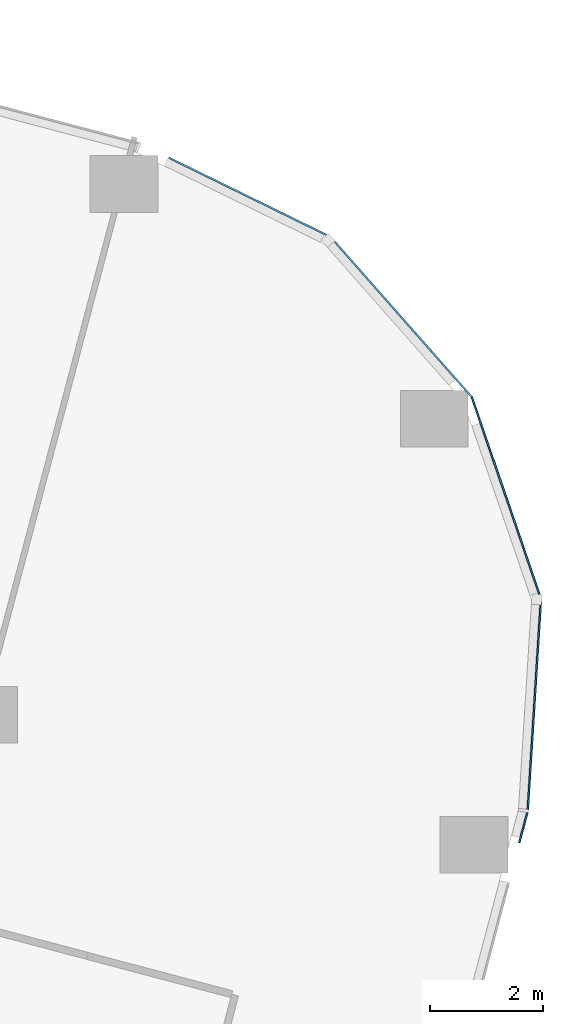
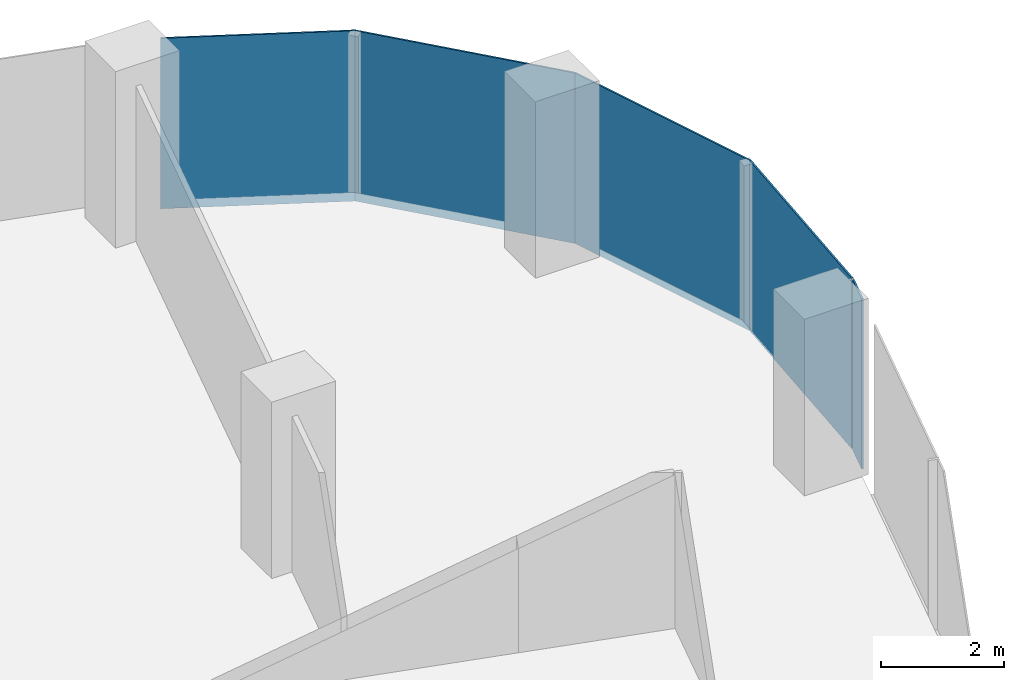
# One storey, part 23 of 34: 5 plates, 5 elements without a shape of their own.
"""IFC4 building model written with IfcOpenShell, lengths in metres."""

from ifc_helpers import new_model, si_unit, direction, frame, origin, origin_2d, place, context, subcontext, project, spatial, rectangle, extrude, material, layer, layer_set, type_object, element, aggregate, save


model = new_model("IFC4")

# Units and contexts
model_context = context("Model", 3, precision=1e-05, world=origin(), true_north=direction((0.0, 1.0)))
body_context = subcontext(model_context, "Body", "Model", "MODEL_VIEW")
ifc_project = project(units=[si_unit("LENGTHUNIT", "METRE"), si_unit("AREAUNIT", "SQUARE_METRE"), si_unit("VOLUMEUNIT", "CUBIC_METRE"), si_unit("PLANEANGLEUNIT", "RADIAN"), si_unit("MASSUNIT", "GRAM", prefix="KILO")], contexts=[model_context])

# Site, building, storey
site_placement = place(None, origin())
site = spatial("IfcSite", under=ifc_project, at=site_placement, CompositionType="ELEMENT")
building_placement = place(site_placement, origin())
building = spatial("IfcBuilding", under=site, at=building_placement, Name="Orlundy Tower", CompositionType="ELEMENT")
storey_placement = place(building_placement, frame((0.0, 0.0, 105.699951171875)))
storey = spatial("IfcBuildingStorey", under=building, at=storey_placement, Name="L26", CompositionType="ELEMENT", Elevation=105.699951171875)

# Curtain wall, plate
ifc_material_1 = material(Name="Aluminium bronze anodised", Category="aluminium")
curtain_wall_type = type_object("IfcCurtainWallType", Name="CW1 wall", PredefinedType="NOTDEFINED", material=ifc_material_1)
curtain_wall_1_placement = place(storey_placement, origin())
curtain_wall_1 = element("IfcCurtainWall", 1, at=curtain_wall_1_placement, inside=storey, type_object=curtain_wall_type, Name="CW1 run 019", PredefinedType="NOTDEFINED")
ifc_material_2 = material(Name="Tinted glass", Category="glass")
ifc_layer = layer(ifc_material_2, 0.031982421875)
ifc_layer_set = layer_set([ifc_layer], Name="CW1 glass panel 32")
plate_type = type_object("IfcPlateType", Name="CW1 glass panel 32", PredefinedType="CURTAIN_PANEL", material=ifc_layer_set)
plate_1_placement = place(storey_placement, frame((56.42724609375, 5.477294921875, -0.27978515625), z_axis=(0.0, 0.0, 1.0), x_axis=(0.898119249702, -0.439751990689, 0.0)))
plate_1 = element("IfcPlate", 2, at=plate_1_placement, type_object=plate_type, Name="CW1 panel", PredefinedType="CURTAIN_PANEL", context=body_context, shape_type="SweptSolid", body=[
    extrude(rectangle(XDim=3.171630859375, YDim=0.031982421875, at=origin_2d()), origin(), (0.0, 0.0, 1.0), 3.3798828125),
])
aggregate(curtain_wall_1, [plate_1])

curtain_wall_2_placement = place(storey_placement, origin())
curtain_wall_2 = element("IfcCurtainWall", 3, at=curtain_wall_2_placement, inside=storey, type_object=curtain_wall_type, Name="CW1 run 020", PredefinedType="NOTDEFINED")
plate_2_placement = place(storey_placement, frame((59.098876953125, 3.365966796875, -0.27978515625), z_axis=(0.0, 0.0, 1.0), x_axis=(0.661612712841, -0.749845729605, 0.0)))
plate_2 = element("IfcPlate", 4, at=plate_2_placement, type_object=plate_type, Name="CW1 panel", PredefinedType="CURTAIN_PANEL", context=body_context, shape_type="SweptSolid", body=[
    extrude(rectangle(XDim=3.771240234375, YDim=0.031982421875, at=origin_2d()), origin(), (0.0, 0.0, 1.0), 3.3798828125),
])
aggregate(curtain_wall_2, [plate_2])

curtain_wall_3_placement = place(storey_placement, origin())
curtain_wall_3 = element("IfcCurtainWall", 5, at=curtain_wall_3_placement, inside=storey, type_object=curtain_wall_type, Name="CW1 run 021", PredefinedType="NOTDEFINED")
plate_3_placement = place(storey_placement, frame((60.958251953125, 0.167724609375, -0.27978515625), z_axis=(0.0, 0.0, 1.0), x_axis=(0.32422777573, -0.945979042815, 0.0)))
plate_3 = element("IfcPlate", 6, at=plate_3_placement, type_object=plate_type, Name="CW1 panel", PredefinedType="CURTAIN_PANEL", context=body_context, shape_type="SweptSolid", body=[
    extrude(rectangle(XDim=3.7724609375, YDim=0.031982421875, at=origin_2d()), origin(), (0.0, 0.0, 1.0), 3.3798828125),
])
aggregate(curtain_wall_3, [plate_3])

curtain_wall_4_placement = place(storey_placement, origin())
curtain_wall_4 = element("IfcCurtainWall", 7, at=curtain_wall_4_placement, inside=storey, type_object=curtain_wall_type, Name="CW1 run 022", PredefinedType="NOTDEFINED")
plate_4_placement = place(storey_placement, frame((61.452880859375, -3.47802734375, -0.27978515625), z_axis=(0.0, 0.0, 1.0), x_axis=(-0.062596654845, -0.998038906457, 0.0)))
plate_4 = element("IfcPlate", 8, at=plate_4_placement, type_object=plate_type, Name="CW1 panel", PredefinedType="CURTAIN_PANEL", context=body_context, shape_type="SweptSolid", body=[
    extrude(rectangle(XDim=3.72998046875, YDim=0.031982421875, at=origin_2d()), origin(), (0.0, 0.0, 1.0), 3.3798828125),
])
aggregate(curtain_wall_4, [plate_4])

curtain_wall_5_placement = place(storey_placement, origin())
curtain_wall_5 = element("IfcCurtainWall", 9, at=curtain_wall_5_placement, inside=storey, type_object=curtain_wall_type, Name="CW1 run 023", PredefinedType="NOTDEFINED")
plate_5_placement = place(storey_placement, frame((61.257568359375, -5.6552734375, -0.27978515625), z_axis=(0.0, 0.0, 1.0), x_axis=(-0.255990719194, -0.966679239296, 0.0)))
plate_5 = element("IfcPlate", 10, at=plate_5_placement, type_object=plate_type, Name="CW1 panel", PredefinedType="CURTAIN_PANEL", context=body_context, shape_type="SweptSolid", body=[
    extrude(rectangle(XDim=0.5517578125, YDim=0.031982421875, at=origin_2d()), origin(), (0.0, 0.0, 1.0), 3.3798828125),
])
aggregate(curtain_wall_5, [plate_5])

save(model, "model.ifc")
